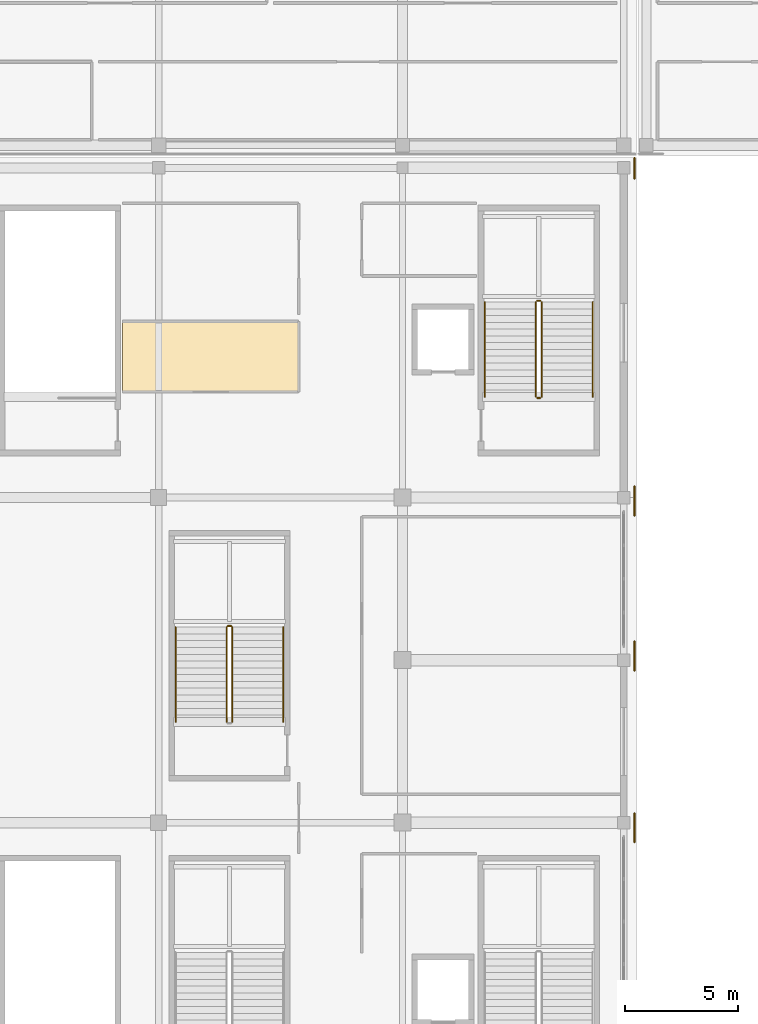
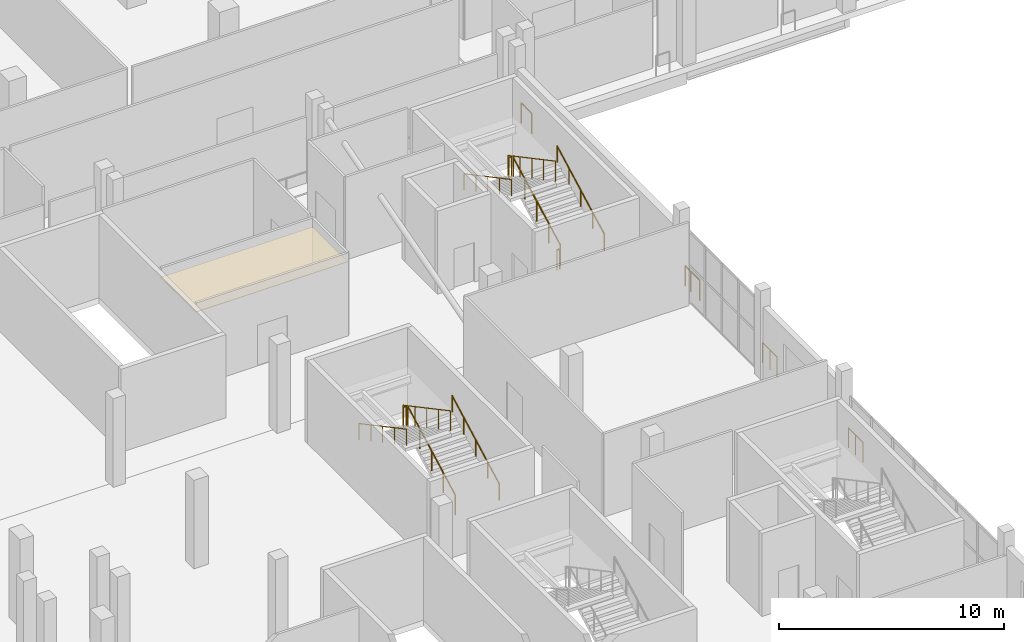
# One storey, part 122 of 129: 16 railings, 1 covering.
"""IFC4 building model written with IfcOpenShell, lengths in metres."""

from ifc_helpers import new_model, si_unit, direction, frame, origin, origin_2d, place, context, subcontext, project, spatial, polyline, circle, outline, extrude, material, layer, layer_set, type_object, element, save


model = new_model("IFC4")

# Units and contexts
model_context = context("Model", 3, precision=1e-05, world=origin(), true_north=direction((0.0, 1.0)))
body_context = subcontext(model_context, "Body", "Model", "MODEL_VIEW")
ifc_project = project(units=[si_unit("LENGTHUNIT", "METRE"), si_unit("AREAUNIT", "SQUARE_METRE"), si_unit("VOLUMEUNIT", "CUBIC_METRE"), si_unit("PLANEANGLEUNIT", "RADIAN"), si_unit("MASSUNIT", "GRAM", prefix="KILO")], contexts=[model_context])

# Site, building, storey
site_placement = place(None, origin())
site = spatial("IfcSite", under=ifc_project, at=site_placement, CompositionType="ELEMENT")
building_placement = place(site_placement, origin())
building = spatial("IfcBuilding", under=site, at=building_placement, Name="Koshinbarg Plaza Stadium", CompositionType="ELEMENT")
storey_placement = place(building_placement, frame((0.0, 0.0, 5.39990234375)))
storey = spatial("IfcBuildingStorey", under=building, at=storey_placement, Name="L01", CompositionType="ELEMENT", Elevation=5.39990234375)

# Covering
ifc_material_1 = material(Name="Perforated gypsum acoustic ceiling board")
ifc_layer = layer(ifc_material_1, 0.030029296875)
ifc_layer_set = layer_set([ifc_layer], Name="Perforated gypsum acoustic ceiling board")
covering_type = type_object("IfcCoveringType", Name="COV-CEIL-01", PredefinedType="CEILING", material=ifc_layer_set)
covering_placement = place(storey_placement, frame((0.0, 0.0, 3.9501953125)))
element("IfcCovering", 1, at=covering_placement, inside=storey, type_object=covering_type, Name="L01 Family Supporters' Lounge acoustic ceiling 008", PredefinedType="CEILING", context=body_context, shape_type="SweptSolid", body=[
    extrude(outline(polyline([(196.199951171875, 116.580078125), (204.0, 116.580078125), (204.0, 119.69921875), (196.199951171875, 119.69921875), (196.199951171875, 116.580078125)])), origin(), (0.0, 0.0, 1.0), 0.02978515625),
])

# Railings
ifc_material_2 = material(Name="Toughened laminated glass and stainless steel sightline balustrade", Category="steel")
railing_type_1 = type_object("IfcRailingType", Name="RL-BOWL-1100", PredefinedType="BALUSTRADE", material=ifc_material_2)
railing_1_placement = place(storey_placement, frame((218.875, 111.89990234375, 0.0)))
element("IfcRailing", 2, at=railing_1_placement, inside=storey, type_object=railing_type_1, Name="L01 deck edge safety balustrade 0027", PredefinedType="BALUSTRADE", context=body_context, shape_type="SweptSolid", body=[
    extrude(circle(Radius=0.02392578125, at=origin_2d()), frame((0.0, 0.0, 1.076171875), z_axis=(0.0, -1.0, 0.0), x_axis=(1.0, 0.0, 0.0)), (0.0, 0.0, 1.0), 0.796875),
    extrude(circle(Radius=0.02099609375, at=origin_2d()), origin(), (0.0, 0.0, 1.0), 1.052001953125),
    extrude(circle(Radius=0.02099609375, at=origin_2d()), frame((0.0, -0.796875, 0.0)), (0.0, 0.0, 1.0), 1.052001953125),
])
railing_2_placement = place(storey_placement, frame((218.875, 105.5341796875, 0.0)))
element("IfcRailing", 3, at=railing_2_placement, inside=storey, type_object=railing_type_1, Name="L01 deck edge safety balustrade 0028", PredefinedType="BALUSTRADE", context=body_context, shape_type="SweptSolid", body=[
    extrude(circle(Radius=0.02392578125, at=origin_2d()), frame((0.0, 0.0, 1.076171875), z_axis=(0.0, -1.0, 0.0), x_axis=(1.0, 0.0, 0.0)), (0.0, 0.0, 1.0), 1.295166015625),
    extrude(circle(Radius=0.02099609375, at=origin_2d()), origin(), (0.0, 0.0, 1.0), 1.052001953125),
    extrude(circle(Radius=0.02099609375, at=origin_2d()), frame((0.0, -0.6474609375, 0.0)), (0.0, 0.0, 1.0), 1.052001953125),
    extrude(circle(Radius=0.02099609375, at=origin_2d()), frame((0.0, -1.295166015625, 0.0)), (0.0, 0.0, 1.0), 1.052001953125),
])
railing_3_placement = place(storey_placement, frame((218.875, 97.923828125, 0.0)))
element("IfcRailing", 4, at=railing_3_placement, inside=storey, type_object=railing_type_1, Name="L01 deck edge safety balustrade 0029", PredefinedType="BALUSTRADE", context=body_context, shape_type="SweptSolid", body=[
    extrude(circle(Radius=0.02392578125, at=origin_2d()), frame((0.0, 0.0, 1.076171875), z_axis=(0.0, -1.0, 0.0), x_axis=(1.0, 0.0, 0.0)), (0.0, 0.0, 1.0), 1.29541015625),
    extrude(circle(Radius=0.02099609375, at=origin_2d()), origin(), (0.0, 0.0, 1.0), 1.052001953125),
    extrude(circle(Radius=0.02099609375, at=origin_2d()), frame((0.0, -0.647705078125, 0.0)), (0.0, 0.0, 1.0), 1.052001953125),
    extrude(circle(Radius=0.02099609375, at=origin_2d()), frame((0.0, -1.29541015625, 0.0)), (0.0, 0.0, 1.0), 1.052001953125),
])
railing_4_placement = place(storey_placement, frame((218.875, 126.955078125, 0.0)))
element("IfcRailing", 5, at=railing_4_placement, inside=storey, type_object=railing_type_1, Name="L01 deck edge safety balustrade 0032", PredefinedType="BALUSTRADE", context=body_context, shape_type="SweptSolid", body=[
    extrude(circle(Radius=0.02392578125, at=origin_2d()), frame((0.0, 0.0, 1.076171875), z_axis=(0.0, -1.0, 0.0), x_axis=(1.0, 0.0, 0.0)), (0.0, 0.0, 1.0), 0.9453125),
    extrude(circle(Radius=0.02099609375, at=origin_2d()), origin(), (0.0, 0.0, 1.0), 1.052001953125),
    extrude(circle(Radius=0.02099609375, at=origin_2d()), frame((0.0, -0.9453125, 0.0)), (0.0, 0.0, 1.0), 1.052001953125),
])
railing_5_placement = place(storey_placement, frame((218.875, 112.398193359375, 0.0)))
element("IfcRailing", 6, at=railing_5_placement, inside=storey, type_object=railing_type_1, Name="L01 deck edge safety balustrade 0033", PredefinedType="BALUSTRADE", context=body_context, shape_type="SweptSolid", body=[
    extrude(circle(Radius=0.02392578125, at=origin_2d()), frame((0.0, 0.0, 1.076171875), z_axis=(0.0, -1.0, 0.0), x_axis=(1.0, 0.0, 0.0)), (0.0, 0.0, 1.0), 0.498291015625),
    extrude(circle(Radius=0.02099609375, at=origin_2d()), origin(), (0.0, 0.0, 1.0), 1.052001953125),
    extrude(circle(Radius=0.02099609375, at=origin_2d()), frame((0.0, -0.498291015625, 0.0)), (0.0, 0.0, 1.0), 1.052001953125),
])
ifc_material_3 = material(Name="Galvanized painted steel guardrail", Category="steel")
railing_type_2 = type_object("IfcRailingType", Name="RL-GUARD-1100", PredefinedType="GUARDRAIL", material=ifc_material_3)
railing_6_placement = place(storey_placement, frame((214.760009765625, 116.360107421875, 0.16015625)))
element("IfcRailing", 7, at=railing_6_placement, inside=storey, type_object=railing_type_2, Name="L01 C10 stair guard 1", PredefinedType="GUARDRAIL", context=body_context, shape_type="SweptSolid", body=[
    extrude(circle(Radius=0.02392578125, at=origin_2d()), frame((0.0, 0.0, 1.076171875), z_axis=(0.0, 0.882351521365, 0.470590897432), x_axis=(-1.0, 0.0, 0.0)), (0.0, 0.0, 1.0), 4.760009765625),
    extrude(circle(Radius=0.02099609375, at=origin_2d()), origin(), (0.0, 0.0, 1.0), 1.052001953125),
    extrude(circle(Radius=0.02099609375, at=origin_2d()), frame((0.0, 1.050048828125, 0.56005859375)), (0.0, 0.0, 1.0), 1.052001953125),
    extrude(circle(Radius=0.02099609375, at=origin_2d()), frame((0.0, 2.10009765625, 1.1201171875)), (0.0, 0.0, 1.0), 1.052001953125),
    extrude(circle(Radius=0.02099609375, at=origin_2d()), frame((0.0, 3.14990234375, 1.679931640625)), (0.0, 0.0, 1.0), 1.052001953125),
    extrude(circle(Radius=0.02099609375, at=origin_2d()), frame((0.0, 4.199951171875, 2.239990234375)), (0.0, 0.0, 1.0), 1.052001953125),
])
railing_7_placement = place(storey_placement, frame((214.7099609375, 120.610107421875, 2.400146484375)))
element("IfcRailing", 8, at=railing_7_placement, inside=storey, type_object=railing_type_2, Name="L01 C10 stair guard 2", PredefinedType="GUARDRAIL", context=body_context, shape_type="SweptSolid", body=[
    extrude(circle(Radius=0.02392578125, at=origin_2d()), frame((0.0, 0.0, 1.076171875), z_axis=(-1.0, 0.0, 0.0), x_axis=(0.0, -1.0, 0.0)), (0.0, 0.0, 1.0), 0.14990234375),
    extrude(circle(Radius=0.02099609375, at=origin_2d()), origin(), (0.0, 0.0, 1.0), 1.052001953125),
    extrude(circle(Radius=0.02099609375, at=origin_2d()), frame((-0.14990234375, 0.0, 0.0)), (0.0, 0.0, 1.0), 1.052001953125),
])
railing_8_placement = place(storey_placement, frame((214.510009765625, 120.56005859375, 2.56005859375)))
element("IfcRailing", 9, at=railing_8_placement, inside=storey, type_object=railing_type_2, Name="L01 C10 stair guard 3", PredefinedType="GUARDRAIL", context=body_context, shape_type="SweptSolid", body=[
    extrude(circle(Radius=0.02392578125, at=origin_2d()), frame((0.0, 0.0, 1.076171875), z_axis=(0.0, -0.882351521365, 0.470590897432), x_axis=(1.0, 0.0, 0.0)), (0.0, 0.0, 1.0), 4.760009765625),
    extrude(circle(Radius=0.02099609375, at=origin_2d()), origin(), (0.0, 0.0, 1.0), 1.052001953125),
    extrude(circle(Radius=0.02099609375, at=origin_2d()), frame((0.0, -1.050048828125, 0.56005859375)), (0.0, 0.0, 1.0), 1.052001953125),
    extrude(circle(Radius=0.02099609375, at=origin_2d()), frame((0.0, -2.10009765625, 1.1201171875)), (0.0, 0.0, 1.0), 1.052001953125),
    extrude(circle(Radius=0.02099609375, at=origin_2d()), frame((0.0, -3.14990234375, 1.679931640625)), (0.0, 0.0, 1.0), 1.052001953125),
    extrude(circle(Radius=0.02099609375, at=origin_2d()), frame((0.0, -4.199951171875, 2.239990234375)), (0.0, 0.0, 1.0), 1.052001953125),
])
railing_9_placement = place(storey_placement, frame((214.7099609375, 116.31005859375, 0.0)))
element("IfcRailing", 10, at=railing_9_placement, inside=storey, type_object=railing_type_2, Name="L01 C10 stair guard 4", PredefinedType="GUARDRAIL", context=body_context, shape_type="SweptSolid", body=[
    extrude(circle(Radius=0.02392578125, at=origin_2d()), frame((0.0, 0.0, 1.076171875), z_axis=(-1.0, 0.0, 0.0), x_axis=(0.0, -1.0, 0.0)), (0.0, 0.0, 1.0), 0.14990234375),
    extrude(circle(Radius=0.02099609375, at=origin_2d()), origin(), (0.0, 0.0, 1.0), 1.052001953125),
    extrude(circle(Radius=0.02099609375, at=origin_2d()), frame((-0.14990234375, 0.0, 0.0)), (0.0, 0.0, 1.0), 1.052001953125),
])
railing_10_placement = place(storey_placement, frame((201.06005859375, 101.9599609375, 0.16015625)))
element("IfcRailing", 11, at=railing_10_placement, inside=storey, type_object=railing_type_2, Name="L01 VX12 stair guard 1", PredefinedType="GUARDRAIL", context=body_context, shape_type="SweptSolid", body=[
    extrude(circle(Radius=0.02392578125, at=origin_2d()), frame((0.0, 0.0, 1.076171875), z_axis=(0.0, 0.882351521365, 0.470590897432), x_axis=(-1.0, 0.0, 0.0)), (0.0, 0.0, 1.0), 4.760009765625),
    extrude(circle(Radius=0.02099609375, at=origin_2d()), origin(), (0.0, 0.0, 1.0), 1.052001953125),
    extrude(circle(Radius=0.02099609375, at=origin_2d()), frame((0.0, 1.050048828125, 0.56005859375)), (0.0, 0.0, 1.0), 1.052001953125),
    extrude(circle(Radius=0.02099609375, at=origin_2d()), frame((0.0, 2.10009765625, 1.1201171875)), (0.0, 0.0, 1.0), 1.052001953125),
    extrude(circle(Radius=0.02099609375, at=origin_2d()), frame((0.0, 3.14990234375, 1.679931640625)), (0.0, 0.0, 1.0), 1.052001953125),
    extrude(circle(Radius=0.02099609375, at=origin_2d()), frame((0.0, 4.199951171875, 2.239990234375)), (0.0, 0.0, 1.0), 1.052001953125),
])
railing_11_placement = place(storey_placement, frame((201.010009765625, 106.2099609375, 2.400146484375)))
element("IfcRailing", 12, at=railing_11_placement, inside=storey, type_object=railing_type_2, Name="L01 VX12 stair guard 2", PredefinedType="GUARDRAIL", context=body_context, shape_type="SweptSolid", body=[
    extrude(circle(Radius=0.02392578125, at=origin_2d()), frame((0.0, 0.0, 1.076171875), z_axis=(-1.0, 0.0, 0.0), x_axis=(0.0, -1.0, 0.0)), (0.0, 0.0, 1.0), 0.14990234375),
    extrude(circle(Radius=0.02099609375, at=origin_2d()), origin(), (0.0, 0.0, 1.0), 1.052001953125),
    extrude(circle(Radius=0.02099609375, at=origin_2d()), frame((-0.14990234375, 0.0, 0.0)), (0.0, 0.0, 1.0), 1.052001953125),
])
railing_12_placement = place(storey_placement, frame((200.81005859375, 106.159912109375, 2.56005859375)))
element("IfcRailing", 13, at=railing_12_placement, inside=storey, type_object=railing_type_2, Name="L01 VX12 stair guard 3", PredefinedType="GUARDRAIL", context=body_context, shape_type="SweptSolid", body=[
    extrude(circle(Radius=0.02392578125, at=origin_2d()), frame((0.0, 0.0, 1.076171875), z_axis=(0.0, -0.882351521365, 0.470590897432), x_axis=(1.0, 0.0, 0.0)), (0.0, 0.0, 1.0), 4.760009765625),
    extrude(circle(Radius=0.02099609375, at=origin_2d()), origin(), (0.0, 0.0, 1.0), 1.052001953125),
    extrude(circle(Radius=0.02099609375, at=origin_2d()), frame((0.0, -1.050048828125, 0.56005859375)), (0.0, 0.0, 1.0), 1.052001953125),
    extrude(circle(Radius=0.02099609375, at=origin_2d()), frame((0.0, -2.10009765625, 1.1201171875)), (0.0, 0.0, 1.0), 1.052001953125),
    extrude(circle(Radius=0.02099609375, at=origin_2d()), frame((0.0, -3.14990234375, 1.679931640625)), (0.0, 0.0, 1.0), 1.052001953125),
    extrude(circle(Radius=0.02099609375, at=origin_2d()), frame((0.0, -4.199951171875, 2.239990234375)), (0.0, 0.0, 1.0), 1.052001953125),
])
ifc_material_4 = material(Name="Brushed stainless steel handrail", Category="steel")
railing_type_3 = type_object("IfcRailingType", Name="RL-HAND-900", PredefinedType="HANDRAIL", material=ifc_material_4)
railing_13_placement = place(storey_placement, frame((217.02001953125, 116.360107421875, 0.16015625)))
element("IfcRailing", 14, at=railing_13_placement, inside=storey, type_object=railing_type_3, Name="L01 C10 stair handrail 1", PredefinedType="HANDRAIL", context=body_context, shape_type="SweptSolid", body=[
    extrude(circle(Radius=0.02392578125, at=origin_2d()), frame((0.0, 0.0, 0.8759765625), z_axis=(0.0, 0.882351521365, 0.470590897432), x_axis=(-1.0, 0.0, 0.0)), (0.0, 0.0, 1.0), 4.760009765625),
    extrude(circle(Radius=0.02099609375, at=origin_2d()), origin(), (0.0, 0.0, 1.0), 0.851806640625),
    extrude(circle(Radius=0.02099609375, at=origin_2d()), frame((0.0, 1.050048828125, 0.56005859375)), (0.0, 0.0, 1.0), 0.851806640625),
    extrude(circle(Radius=0.02099609375, at=origin_2d()), frame((0.0, 2.10009765625, 1.1201171875)), (0.0, 0.0, 1.0), 0.851806640625),
    extrude(circle(Radius=0.02099609375, at=origin_2d()), frame((0.0, 3.14990234375, 1.679931640625)), (0.0, 0.0, 1.0), 0.851806640625),
    extrude(circle(Radius=0.02099609375, at=origin_2d()), frame((0.0, 4.199951171875, 2.239990234375)), (0.0, 0.0, 1.0), 0.851806640625),
])
railing_14_placement = place(storey_placement, frame((212.25, 120.56005859375, 2.56005859375)))
element("IfcRailing", 15, at=railing_14_placement, inside=storey, type_object=railing_type_3, Name="L01 C10 stair handrail 2", PredefinedType="HANDRAIL", context=body_context, shape_type="SweptSolid", body=[
    extrude(circle(Radius=0.02392578125, at=origin_2d()), frame((0.0, 0.0, 0.8759765625), z_axis=(0.0, -0.882351521365, 0.470590897432), x_axis=(1.0, 0.0, 0.0)), (0.0, 0.0, 1.0), 4.760009765625),
    extrude(circle(Radius=0.02099609375, at=origin_2d()), origin(), (0.0, 0.0, 1.0), 0.851806640625),
    extrude(circle(Radius=0.02099609375, at=origin_2d()), frame((0.0, -1.050048828125, 0.56005859375)), (0.0, 0.0, 1.0), 0.851806640625),
    extrude(circle(Radius=0.02099609375, at=origin_2d()), frame((0.0, -2.10009765625, 1.1201171875)), (0.0, 0.0, 1.0), 0.851806640625),
    extrude(circle(Radius=0.02099609375, at=origin_2d()), frame((0.0, -3.14990234375, 1.679931640625)), (0.0, 0.0, 1.0), 0.851806640625),
    extrude(circle(Radius=0.02099609375, at=origin_2d()), frame((0.0, -4.199951171875, 2.239990234375)), (0.0, 0.0, 1.0), 0.851806640625),
])
railing_15_placement = place(storey_placement, frame((203.320068359375, 101.9599609375, 0.16015625)))
element("IfcRailing", 16, at=railing_15_placement, inside=storey, type_object=railing_type_3, Name="L01 VX12 stair handrail 1", PredefinedType="HANDRAIL", context=body_context, shape_type="SweptSolid", body=[
    extrude(circle(Radius=0.02392578125, at=origin_2d()), frame((0.0, 0.0, 0.8759765625), z_axis=(0.0, 0.882351521365, 0.470590897432), x_axis=(-1.0, 0.0, 0.0)), (0.0, 0.0, 1.0), 4.760009765625),
    extrude(circle(Radius=0.02099609375, at=origin_2d()), origin(), (0.0, 0.0, 1.0), 0.851806640625),
    extrude(circle(Radius=0.02099609375, at=origin_2d()), frame((0.0, 1.050048828125, 0.56005859375)), (0.0, 0.0, 1.0), 0.851806640625),
    extrude(circle(Radius=0.02099609375, at=origin_2d()), frame((0.0, 2.10009765625, 1.1201171875)), (0.0, 0.0, 1.0), 0.851806640625),
    extrude(circle(Radius=0.02099609375, at=origin_2d()), frame((0.0, 3.14990234375, 1.679931640625)), (0.0, 0.0, 1.0), 0.851806640625),
    extrude(circle(Radius=0.02099609375, at=origin_2d()), frame((0.0, 4.199951171875, 2.239990234375)), (0.0, 0.0, 1.0), 0.851806640625),
])
railing_16_placement = place(storey_placement, frame((198.550048828125, 106.159912109375, 2.56005859375)))
element("IfcRailing", 17, at=railing_16_placement, inside=storey, type_object=railing_type_3, Name="L01 VX12 stair handrail 2", PredefinedType="HANDRAIL", context=body_context, shape_type="SweptSolid", body=[
    extrude(circle(Radius=0.02392578125, at=origin_2d()), frame((0.0, 0.0, 0.8759765625), z_axis=(0.0, -0.882351521365, 0.470590897432), x_axis=(1.0, 0.0, 0.0)), (0.0, 0.0, 1.0), 4.760009765625),
    extrude(circle(Radius=0.02099609375, at=origin_2d()), origin(), (0.0, 0.0, 1.0), 0.851806640625),
    extrude(circle(Radius=0.02099609375, at=origin_2d()), frame((0.0, -1.050048828125, 0.56005859375)), (0.0, 0.0, 1.0), 0.851806640625),
    extrude(circle(Radius=0.02099609375, at=origin_2d()), frame((0.0, -2.10009765625, 1.1201171875)), (0.0, 0.0, 1.0), 0.851806640625),
    extrude(circle(Radius=0.02099609375, at=origin_2d()), frame((0.0, -3.14990234375, 1.679931640625)), (0.0, 0.0, 1.0), 0.851806640625),
    extrude(circle(Radius=0.02099609375, at=origin_2d()), frame((0.0, -4.199951171875, 2.239990234375)), (0.0, 0.0, 1.0), 0.851806640625),
])

save(model, "model.ifc")
